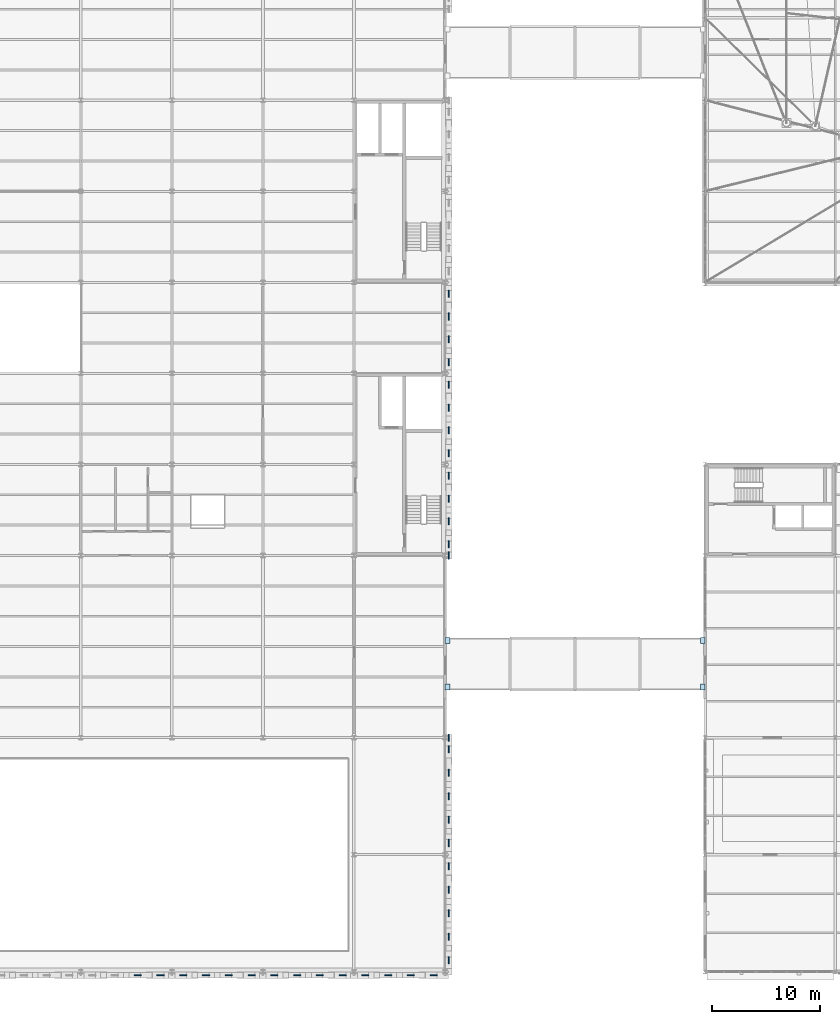
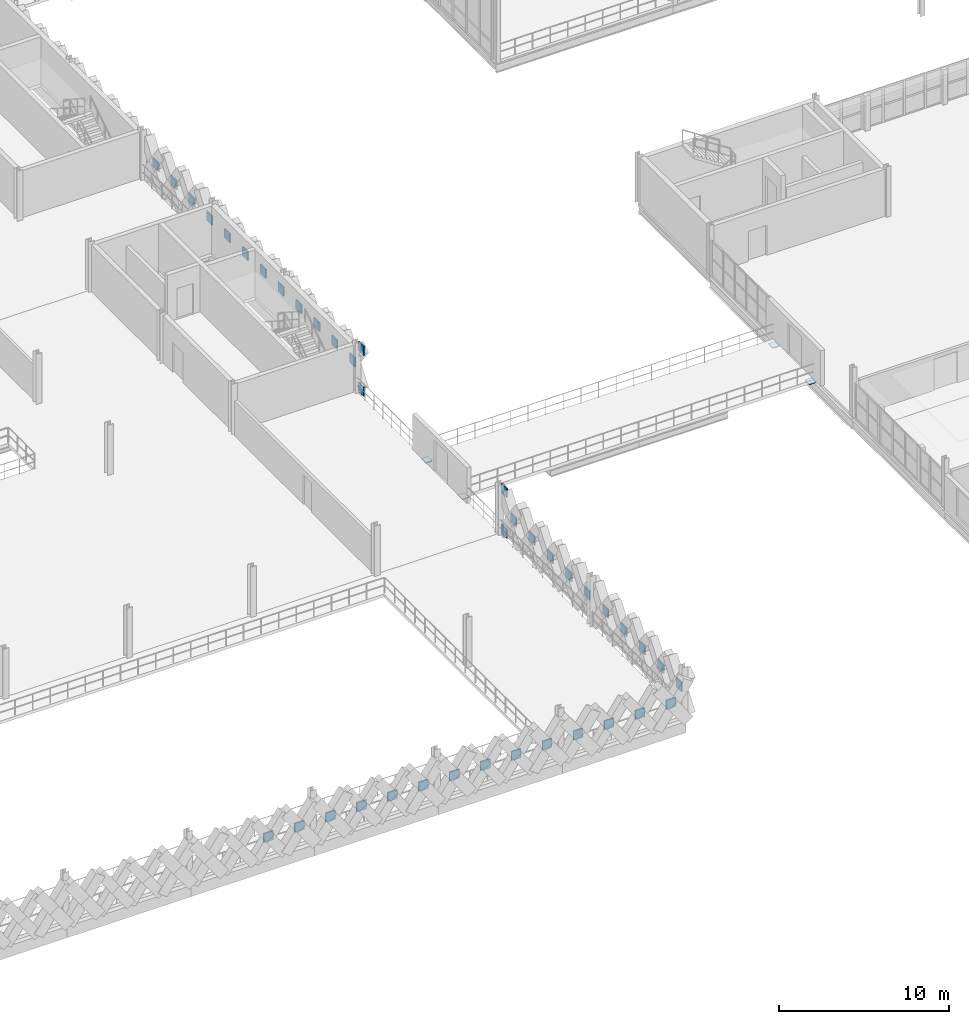
# One storey, part 77 of 101: 44 plates.
"""IFC4 building model written with IfcOpenShell, lengths in metres."""

from ifc_helpers import new_model, si_unit, direction, frame, origin, origin_2d, place, context, subcontext, project, spatial, rectangle, extrude, material, layer, layer_set, type_object, element, save


model = new_model("IFC4")

# Units and contexts
model_context = context("Model", 3, precision=1e-05, world=origin(), true_north=direction((0.0, 1.0)))
body_context = subcontext(model_context, "Body", "Model", "MODEL_VIEW")
ifc_project = project(units=[si_unit("LENGTHUNIT", "METRE"), si_unit("AREAUNIT", "SQUARE_METRE"), si_unit("VOLUMEUNIT", "CUBIC_METRE"), si_unit("PLANEANGLEUNIT", "RADIAN"), si_unit("MASSUNIT", "GRAM", prefix="KILO"), si_unit("THERMODYNAMICTEMPERATUREUNIT", "KELVIN"), si_unit("POWERUNIT", "WATT")], contexts=[model_context])

# Site, building, storey
site_placement = place(None, origin())
site = spatial("IfcSite", under=ifc_project, at=site_placement, CompositionType="ELEMENT")
building_placement = place(site_placement, origin())
building = spatial("IfcBuilding", under=site, at=building_placement, Name="Tembeka Court Mobility Hub", CompositionType="ELEMENT")
storey_placement = place(building_placement, frame((0.0, 0.0, 5.39990234375)))
storey = spatial("IfcBuildingStorey", under=building, at=storey_placement, Name="L01", CompositionType="ELEMENT", Elevation=5.39990234375)

# Plates
ifc_material_1 = material(Name="Steel S355", Category="steel")
ifc_layer_1 = layer(ifc_material_1, 0.0400390625)
ifc_layer_set_1 = layer_set([ifc_layer_1], Name="Steel S355")
plate_type_1 = type_object("IfcPlateType", Name="PL-MBP01", PredefinedType="USERDEFINED", material=ifc_layer_set_1)
for number, where, z_axis, x_axis, name in (
    (1, (92.625, 26.25, -0.27001953125), (0.0, 0.0, 1.0), (1.0, 0.0, 0.0), "Bridge 450mm seated elastomeric bearing plate MBP01-01"),
    (2, (116.175048828125, 26.25, -0.27001953125), (0.0, 0.0, 1.0), (1.0, 0.0, 0.0), "Bridge 450mm seated elastomeric bearing plate MBP01-02"),
    (3, (92.625, 30.550048828125, -0.27001953125), (0.0, 0.0, 1.0), (1.0, 0.0, 0.0), "Bridge 450mm seated elastomeric bearing plate MBP01-03"),
    (4, (116.175048828125, 30.550048828125, -0.27001953125), (0.0, 0.0, 1.0), (1.0, 0.0, 0.0), "Bridge 450mm seated elastomeric bearing plate MBP01-04"),
):
    element("IfcPlate", number, at=place(storey_placement, frame(where, z_axis=z_axis, x_axis=x_axis)), inside=storey, type_object=plate_type_1, Name=name, ObjectType="BASE PLATE", PredefinedType="USERDEFINED", context=body_context, shape_type="SweptSolid", body=[
        extrude(rectangle(XDim=0.449951171875, YDim=0.550048828125, at=origin_2d()), origin(), (0.0, 0.0, 1.0), 0.0400390625),
    ])
ifc_material_2 = material(Name="Precast concrete C45/55", Category="concrete")
ifc_layer_2 = layer(ifc_material_2, 0.090087890625)
ifc_layer_set_2 = layer_set([ifc_layer_2], Name="Precast concrete C45/55")
plate_type_2 = type_object("IfcPlateType", Name="PL-PC01", PredefinedType="SHEET", material=ifc_layer_set_2)
for number, where, z_axis, x_axis, name in (
    (5, (92.739990234375, 21.60009765625, -0.304931640625), (0.0, 0.0, 1.0), (1.0, 0.0, 0.0), "Lattice portal boundary node plate PCN01 (L01-21-B)"),
    (6, (92.739990234375, 21.60009765625, 2.625244140625), (0.0, 0.0, 1.0), (1.0, 0.0, 0.0), "Lattice portal boundary node plate PCN01 (L01-21-T)"),
    (7, (92.739990234375, 38.39990234375, -0.304931640625), (0.0, 0.0, 1.0), (1.0, 0.0, 0.0), "Lattice portal boundary node plate PCN01 (L01-38-B)"),
    (8, (92.739990234375, 38.39990234375, 2.625244140625), (0.0, 0.0, 1.0), (1.0, 0.0, 0.0), "Lattice portal boundary node plate PCN01 (L01-38-T)"),
):
    element("IfcPlate", number, at=place(storey_placement, frame(where, z_axis=z_axis, x_axis=x_axis)), inside=storey, type_object=plate_type_2, Name=name, PredefinedType="SHEET", context=body_context, shape_type="SweptSolid", body=[
        extrude(rectangle(XDim=0.090087890625, YDim=0.64990234375, at=origin_2d()), origin(), (0.0, 0.0, 1.0), 0.64990234375),
    ])
for number, where, z_axis, x_axis, name in (
    (9, (64.050048828125, -0.340087890625, 1.16015625), (0.0, 0.0, 1.0), (1.0, 0.0, 0.0), "Precast diamond lattice node plate PCN01 (L01-31)"),
    (10, (66.14990234375, -0.340087890625, 1.16015625), (0.0, 0.0, 1.0), (1.0, 0.0, 0.0), "Precast diamond lattice node plate PCN01 (L01-32)"),
    (11, (68.25, -0.340087890625, 1.16015625), (0.0, 0.0, 1.0), (1.0, 0.0, 0.0), "Precast diamond lattice node plate PCN01 (L01-33)"),
    (12, (70.35009765625, -0.340087890625, 1.16015625), (0.0, 0.0, 1.0), (1.0, 0.0, 0.0), "Precast diamond lattice node plate PCN01 (L01-34)"),
    (13, (72.449951171875, -0.340087890625, 1.16015625), (0.0, 0.0, 1.0), (1.0, 0.0, 0.0), "Precast diamond lattice node plate PCN01 (L01-35)"),
    (14, (74.550048828125, -0.340087890625, 1.16015625), (0.0, 0.0, 1.0), (1.0, 0.0, 0.0), "Precast diamond lattice node plate PCN01 (L01-36)"),
    (15, (76.64990234375, -0.340087890625, 1.16015625), (0.0, 0.0, 1.0), (1.0, 0.0, 0.0), "Precast diamond lattice node plate PCN01 (L01-37)"),
    (16, (78.75, -0.340087890625, 1.16015625), (0.0, 0.0, 1.0), (1.0, 0.0, 0.0), "Precast diamond lattice node plate PCN01 (L01-38)"),
    (17, (80.85009765625, -0.340087890625, 1.16015625), (0.0, 0.0, 1.0), (1.0, 0.0, 0.0), "Precast diamond lattice node plate PCN01 (L01-39)"),
    (18, (82.949951171875, -0.340087890625, 1.16015625), (0.0, 0.0, 1.0), (1.0, 0.0, 0.0), "Precast diamond lattice node plate PCN01 (L01-40)"),
    (19, (85.050048828125, -0.340087890625, 1.16015625), (0.0, 0.0, 1.0), (1.0, 0.0, 0.0), "Precast diamond lattice node plate PCN01 (L01-41)"),
    (20, (87.14990234375, -0.340087890625, 1.16015625), (0.0, 0.0, 1.0), (1.0, 0.0, 0.0), "Precast diamond lattice node plate PCN01 (L01-42)"),
    (21, (89.25, -0.340087890625, 1.16015625), (0.0, 0.0, 1.0), (1.0, 0.0, 0.0), "Precast diamond lattice node plate PCN01 (L01-43)"),
    (22, (91.35009765625, -0.340087890625, 1.16015625), (0.0, 0.0, 1.0), (1.0, 0.0, 0.0), "Precast diamond lattice node plate PCN01 (L01-44)"),
):
    element("IfcPlate", number, at=place(storey_placement, frame(where, z_axis=z_axis, x_axis=x_axis)), inside=storey, type_object=plate_type_2, Name=name, PredefinedType="SHEET", context=body_context, shape_type="SweptSolid", body=[
        extrude(rectangle(XDim=0.64990234375, YDim=0.090087890625, at=origin_2d()), origin(), (0.0, 0.0, 1.0), 0.64990234375),
    ])
for number, where, z_axis, x_axis, name in (
    (23, (92.739990234375, 1.080078125, 1.16015625), (0.0, 0.0, 1.0), (1.0, 0.0, 0.0), "Precast diamond lattice node plate PCN01 (L01-145)"),
    (24, (92.739990234375, 3.239990234375, 1.16015625), (0.0, 0.0, 1.0), (1.0, 0.0, 0.0), "Precast diamond lattice node plate PCN01 (L01-146)"),
    (25, (92.739990234375, 5.39990234375, 1.16015625), (0.0, 0.0, 1.0), (1.0, 0.0, 0.0), "Precast diamond lattice node plate PCN01 (L01-147)"),
    (26, (92.739990234375, 7.56005859375, 1.16015625), (0.0, 0.0, 1.0), (1.0, 0.0, 0.0), "Precast diamond lattice node plate PCN01 (L01-148)"),
    (27, (92.739990234375, 9.719970703125, 1.16015625), (0.0, 0.0, 1.0), (1.0, 0.0, 0.0), "Precast diamond lattice node plate PCN01 (L01-149)"),
    (28, (92.739990234375, 11.8798828125, 1.16015625), (0.0, 0.0, 1.0), (1.0, 0.0, 0.0), "Precast diamond lattice node plate PCN01 (L01-150)"),
    (29, (92.739990234375, 14.0400390625, 1.16015625), (0.0, 0.0, 1.0), (1.0, 0.0, 0.0), "Precast diamond lattice node plate PCN01 (L01-151)"),
    (30, (92.739990234375, 16.199951171875, 1.16015625), (0.0, 0.0, 1.0), (1.0, 0.0, 0.0), "Precast diamond lattice node plate PCN01 (L01-152)"),
    (31, (92.739990234375, 18.360107421875, 1.16015625), (0.0, 0.0, 1.0), (1.0, 0.0, 0.0), "Precast diamond lattice node plate PCN01 (L01-153)"),
    (32, (92.739990234375, 20.52001953125, 1.16015625), (0.0, 0.0, 1.0), (1.0, 0.0, 0.0), "Precast diamond lattice node plate PCN01 (L01-154)"),
    (33, (92.739990234375, 39.449951171875, 1.16015625), (0.0, 0.0, 1.0), (1.0, 0.0, 0.0), "Precast diamond lattice node plate PCN01 (L01-155)"),
    (34, (92.739990234375, 41.550048828125, 1.16015625), (0.0, 0.0, 1.0), (1.0, 0.0, 0.0), "Precast diamond lattice node plate PCN01 (L01-156)"),
    (35, (92.739990234375, 43.64990234375, 1.16015625), (0.0, 0.0, 1.0), (1.0, 0.0, 0.0), "Precast diamond lattice node plate PCN01 (L01-157)"),
    (36, (92.739990234375, 45.75, 1.16015625), (0.0, 0.0, 1.0), (1.0, 0.0, 0.0), "Precast diamond lattice node plate PCN01 (L01-158)"),
    (37, (92.739990234375, 47.85009765625, 1.16015625), (0.0, 0.0, 1.0), (1.0, 0.0, 0.0), "Precast diamond lattice node plate PCN01 (L01-159)"),
    (38, (92.739990234375, 49.949951171875, 1.16015625), (0.0, 0.0, 1.0), (1.0, 0.0, 0.0), "Precast diamond lattice node plate PCN01 (L01-160)"),
    (39, (92.739990234375, 52.050048828125, 1.16015625), (0.0, 0.0, 1.0), (1.0, 0.0, 0.0), "Precast diamond lattice node plate PCN01 (L01-161)"),
    (40, (92.739990234375, 54.14990234375, 1.16015625), (0.0, 0.0, 1.0), (1.0, 0.0, 0.0), "Precast diamond lattice node plate PCN01 (L01-162)"),
    (41, (92.739990234375, 56.25, 1.16015625), (0.0, 0.0, 1.0), (1.0, 0.0, 0.0), "Precast diamond lattice node plate PCN01 (L01-163)"),
    (42, (92.739990234375, 58.35009765625, 1.16015625), (0.0, 0.0, 1.0), (1.0, 0.0, 0.0), "Precast diamond lattice node plate PCN01 (L01-164)"),
    (43, (92.739990234375, 60.449951171875, 1.16015625), (0.0, 0.0, 1.0), (1.0, 0.0, 0.0), "Precast diamond lattice node plate PCN01 (L01-165)"),
    (44, (92.739990234375, 62.550048828125, 1.16015625), (0.0, 0.0, 1.0), (1.0, 0.0, 0.0), "Precast diamond lattice node plate PCN01 (L01-166)"),
):
    element("IfcPlate", number, at=place(storey_placement, frame(where, z_axis=z_axis, x_axis=x_axis)), inside=storey, type_object=plate_type_2, Name=name, PredefinedType="SHEET", context=body_context, shape_type="SweptSolid", body=[
        extrude(rectangle(XDim=0.090087890625, YDim=0.64990234375, at=origin_2d()), origin(), (0.0, 0.0, 1.0), 0.64990234375),
    ])

save(model, "model.ifc")
